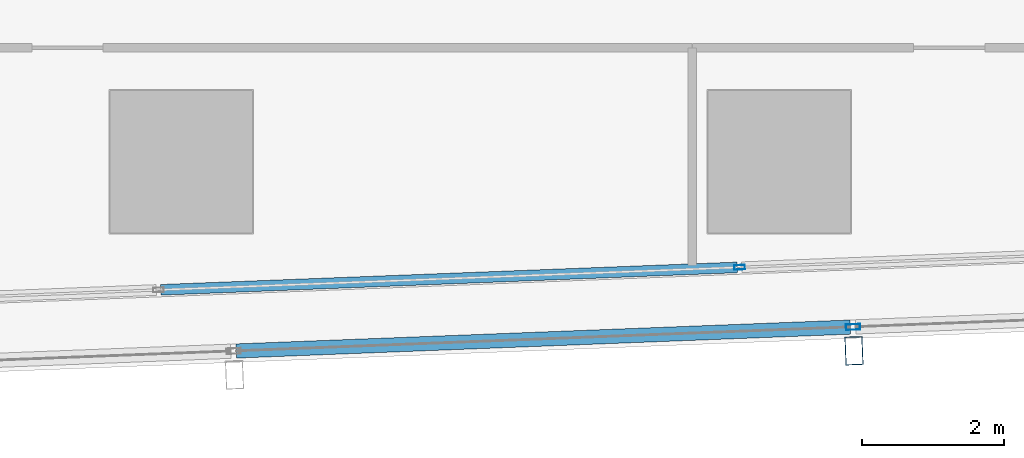
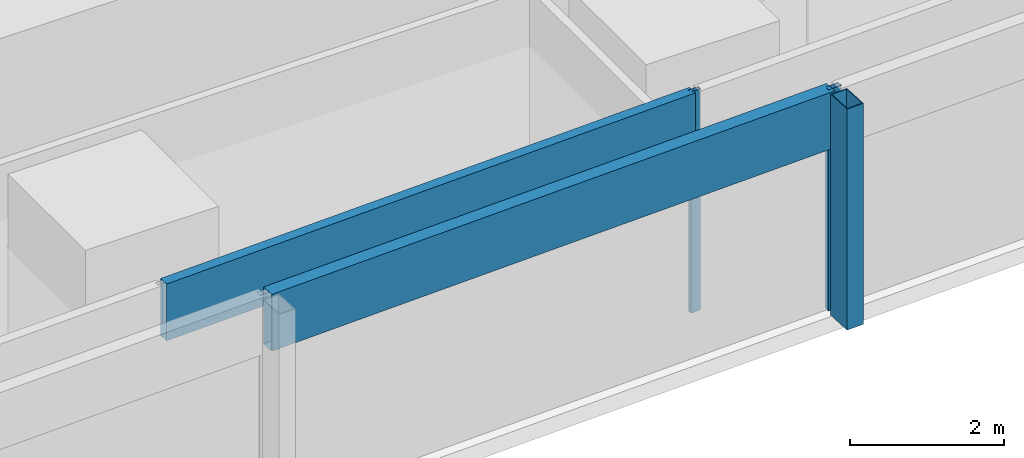
# One storey, part 10 of 39: 5 members, 2 elements without a shape of their own.
"""IFC4 building model written with IfcOpenShell, lengths in metres."""

from ifc_helpers import new_model, si_unit, direction, frame, origin, origin_2d, place, context, subcontext, project, spatial, hollow_rectangle, extrude, material, material_profile, profile_set, type_object, element, aggregate, save


model = new_model("IFC4")

# Units and contexts
model_context = context("Model", 3, precision=1e-05, world=origin(), true_north=direction((0.0, 1.0)))
body_context = subcontext(model_context, "Body", "Model", "MODEL_VIEW")
ifc_project = project(units=[si_unit("LENGTHUNIT", "METRE"), si_unit("AREAUNIT", "SQUARE_METRE"), si_unit("VOLUMEUNIT", "CUBIC_METRE"), si_unit("PLANEANGLEUNIT", "RADIAN"), si_unit("MASSUNIT", "GRAM", prefix="KILO")], contexts=[model_context])

# Site, building, storey
site_placement = place(None, origin())
site = spatial("IfcSite", under=ifc_project, at=site_placement, CompositionType="ELEMENT")
building_placement = place(site_placement, origin())
building = spatial("IfcBuilding", under=site, at=building_placement, Name="Rekha Terrace Tower", CompositionType="ELEMENT")
storey_placement = place(building_placement, frame((0.0, 0.0, 151.550048828125)))
storey = spatial("IfcBuildingStorey", under=building, at=storey_placement, Name="L38", CompositionType="ELEMENT", Elevation=151.550048828125)

# Curtain wall, member
ifc_material_1 = material(Name="Aluminium framing", Category="aluminium")
curtain_wall_type_1 = type_object("IfcCurtainWallType", Name="CW2 double skin outer glazing", PredefinedType="USERDEFINED", material=ifc_material_1)
curtain_wall_1_placement = place(storey_placement, origin())
curtain_wall_1 = element("IfcCurtainWall", 1, at=curtain_wall_1_placement, inside=storey, type_object=curtain_wall_type_1, Name="CW2 double skin outer glazing", ObjectType="DOUBLE SKIN OUTER GLAZING", PredefinedType="USERDEFINED")
ifc_material_2 = material(Name="Steel S355 with fluorocarbon finish", Category="steel")
ifc_material_profile_1 = material_profile(ifc_material_2, hollow_rectangle(XDim=0.25, YDim=0.39990234375, WallThickness=0.012451171875, at=origin_2d()), Name="RHS400x250x12.5")
ifc_profile_set_1 = profile_set([ifc_material_profile_1], Name="Steel S355 with fluorocarbon finish")
member_type_1 = type_object("IfcMemberType", Name="BL1 facade blade RHS 400 x 250", PredefinedType="USERDEFINED", material=ifc_profile_set_1)
member_1_placement = place(storey_placement, frame((51.4521484375, 14.141845703125, 0.0), z_axis=(0.0, 0.0, 1.0), x_axis=(0.999243494356, 0.038890088543, 0.0)))
member_1 = element("IfcMember", 2, at=member_1_placement, type_object=member_type_1, Name="Facade blade", ObjectType="FACADE BLADE", PredefinedType="USERDEFINED", context=body_context, shape_type="SweptSolid", body=[
    extrude(hollow_rectangle(XDim=0.25, YDim=0.39990234375, WallThickness=0.012451171875, at=origin_2d()), origin(), (0.0, 0.0, 1.0), 3.5),
])

# Curtain wall, members
curtain_wall_type_2 = type_object("IfcCurtainWallType", Name="CW1 double skin inner glazing", PredefinedType="USERDEFINED", material=ifc_material_1)
curtain_wall_2_placement = place(storey_placement, origin())
curtain_wall_2 = element("IfcCurtainWall", 3, at=curtain_wall_2_placement, inside=storey, type_object=curtain_wall_type_2, Name="CW1 double skin inner glazing", ObjectType="DOUBLE SKIN INNER GLAZING", PredefinedType="USERDEFINED")
ifc_material_3 = material(Name="Aluminium mullion section", Category="aluminium")
ifc_material_profile_2 = material_profile(ifc_material_3, hollow_rectangle(XDim=0.06494140625, YDim=0.14990234375, WallThickness=0.00390625, at=origin_2d()), Name="AL RHS 65x150")
ifc_profile_set_2 = profile_set([ifc_material_profile_2], Name="Aluminium mullion section")
member_type_2 = type_object("IfcMemberType", Name="CW1 mullion RHS 65 x 150", PredefinedType="MULLION", material=ifc_profile_set_2)
member_2_placement = place(storey_placement, frame((49.8447265625, 15.315185546875, 0.0), z_axis=(0.0, 0.0, 1.0), x_axis=(-0.038889971328, 0.999243498918, 0.0)))
member_2 = element("IfcMember", 4, at=member_2_placement, type_object=member_type_2, Name="CW1 mullion 4", PredefinedType="MULLION", context=body_context, shape_type="SweptSolid", body=[
    extrude(hollow_rectangle(XDim=0.06494140625, YDim=0.14990234375, WallThickness=0.00390625, at=origin_2d()), origin(), (0.0, 0.0, 1.0), 3.5),
])
ifc_material_4 = material(Name="Insulated aluminium spandrel box", Category="aluminium")
ifc_material_profile_3 = material_profile(ifc_material_4, hollow_rectangle(XDim=0.14990234375, YDim=0.89990234375, WallThickness=0.0029296875, at=origin_2d()), Name="AL SPANDREL BOX 150x900")
ifc_profile_set_3 = profile_set([ifc_material_profile_3], Name="Insulated aluminium spandrel box")
member_type_3 = type_object("IfcMemberType", Name="CW1 spandrel transom 150 x 900", PredefinedType="USERDEFINED", material=ifc_profile_set_3)
member_3_placement = place(storey_placement, frame((41.71142578125, 14.998779296875, 3.050048828125), z_axis=(0.999243949495, 0.038878392417, 0.0), x_axis=(-0.038878392417, 0.999243949495, 0.0)))
member_3 = element("IfcMember", 5, at=member_3_placement, type_object=member_type_3, Name="CW1 spandrel transom 3", ObjectType="TRANSOM", PredefinedType="USERDEFINED", context=body_context, shape_type="SweptSolid", body=[
    extrude(hollow_rectangle(XDim=0.14990234375, YDim=0.89990234375, WallThickness=0.0029296875, at=origin_2d()), origin(), (0.0, 0.0, 1.0), 8.10693359375),
])
aggregate(curtain_wall_2, [member_2, member_3])

# Member
ifc_material_profile_4 = material_profile(ifc_material_3, hollow_rectangle(XDim=0.080078125, YDim=0.199951171875, WallThickness=0.00390625, at=origin_2d()), Name="AL RHS 80x200")
ifc_profile_set_4 = profile_set([ifc_material_profile_4], Name="Aluminium mullion section")
member_type_4 = type_object("IfcMemberType", Name="CW2 mullion RHS 80 x 200", PredefinedType="MULLION", material=ifc_profile_set_4)
member_4_placement = place(storey_placement, frame((51.439208984375, 14.4765625, 0.0), z_axis=(0.0, 0.0, 1.0), x_axis=(-0.038889971345, 0.999243498917, 0.0)))
member_4 = element("IfcMember", 6, at=member_4_placement, type_object=member_type_4, Name="CW2 mullion 4", PredefinedType="MULLION", context=body_context, shape_type="SweptSolid", body=[
    extrude(hollow_rectangle(XDim=0.080078125, YDim=0.199951171875, WallThickness=0.00390625, at=origin_2d()), origin(), (0.0, 0.0, 1.0), 3.5),
])

ifc_material_profile_5 = material_profile(ifc_material_4, hollow_rectangle(XDim=0.199951171875, YDim=0.89990234375, WallThickness=0.0029296875, at=origin_2d()), Name="AL SPANDREL BOX 200x900")
ifc_profile_set_5 = profile_set([ifc_material_profile_5], Name="Insulated aluminium spandrel box")
member_type_5 = type_object("IfcMemberType", Name="CW2 spandrel transom 200 x 900", PredefinedType="USERDEFINED", material=ifc_profile_set_5)
member_5_placement = place(storey_placement, frame((42.774169921875, 14.139404296875, 3.050048828125), z_axis=(0.999243438523, 0.038891523097, 0.0), x_axis=(-0.038891523097, 0.999243438523, 0.0)))
member_5 = element("IfcMember", 7, at=member_5_placement, type_object=member_type_5, Name="CW2 spandrel transom 3", ObjectType="TRANSOM", PredefinedType="USERDEFINED", context=body_context, shape_type="SweptSolid", body=[
    extrude(hollow_rectangle(XDim=0.199951171875, YDim=0.89990234375, WallThickness=0.0029296875, at=origin_2d()), origin(), (0.0, 0.0, 1.0), 8.631591796875),
])

aggregate(curtain_wall_1, [member_4, member_5, member_1])

save(model, "model.ifc")
